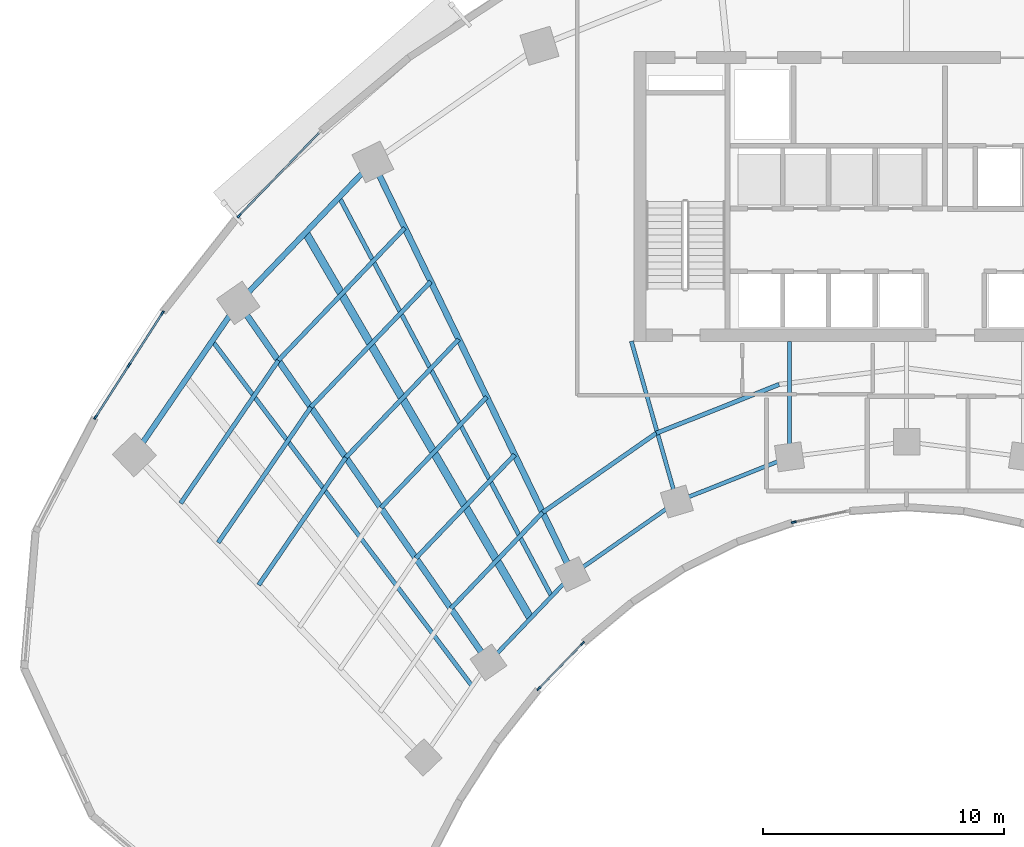
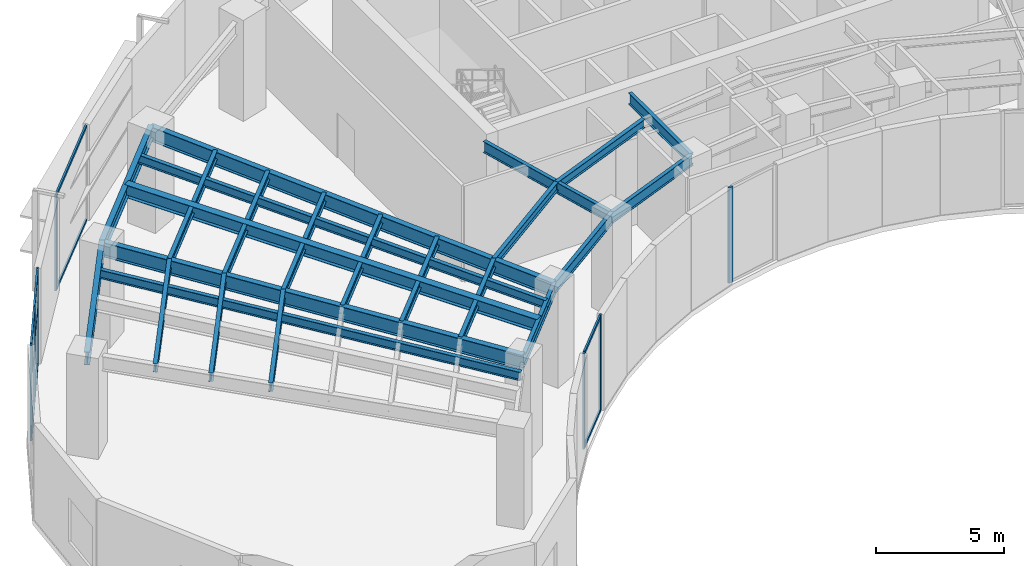
# One storey, part 2 of 15: 23 beams, 17 members, 4 elements without a shape of their own.
"""IFC4 building model written with IfcOpenShell, lengths in metres."""

import ifcopenshell
import ifcopenshell.guid

model = None  # the IFC model being written
_history = None  # IfcOwnerHistory: only IFC2X3 demands one
_inside = {}  # id of a spatial element -> (the spatial element, [elements in it])
_under = {}  # id of a project, library or spatial element -> (it, [spatial elements below it])
_declared = {}  # id of a project -> (the project, [libraries it declares])
_typed = {}  # id of a type object -> (the type object, [elements of that type])
_made_of = {}  # id of a material, layer set ... -> (it, [elements and type objects made of it])


def new_model(schema):
    """Start an empty IFC model of exactly this schema.

    Asked for "IFC4X3", IfcOpenShell would pick the latest addendum, in which some entities
    have other attributes; the version numbers below select the first issue.
    IFC2X3 requires an IfcOwnerHistory on every rooted entity: one is made here for all.
    """
    global model, _history
    if schema == "IFC4X3":
        model = ifcopenshell.file(schema_version=(4, 3, 0, 0))
    else:
        model = ifcopenshell.file(schema=schema)
    _inside.clear()
    _under.clear()
    _declared.clear()
    _typed.clear()
    _made_of.clear()
    _history = None
    if model.schema == "IFC2X3":
        org = make("IfcOrganization", Name="unknown")
        user = make(
            "IfcPersonAndOrganization",
            ThePerson=make("IfcPerson", FamilyName="unknown"),
            TheOrganization=org,
        )
        app = make(
            "IfcApplication",
            ApplicationDeveloper=org,
            Version="unknown",
            ApplicationFullName="unknown",
            ApplicationIdentifier="unknown",
        )
        _history = make(
            "IfcOwnerHistory",
            OwningUser=user,
            OwningApplication=app,
            ChangeAction="ADDED",
            CreationDate=0,
        )
    return model


def make(cls, **values):
    """One entity of the class cls with the attributes given. An attribute that is None is left unset."""
    return model.create_entity(
        cls, **{name: value for name, value in values.items() if value is not None}
    )


def rooted(cls, **values):
    """An entity with a GlobalId (a new one), such as an element, a storey or a relation."""
    return make(cls, GlobalId=ifcopenshell.guid.new(), OwnerHistory=_history, **values)


def si_unit(unit_type, name, prefix=None):
    """IfcSIUnit, for example si_unit("LENGTHUNIT", "METRE", prefix="MILLI")."""
    return make("IfcSIUnit", UnitType=unit_type, Prefix=prefix, Name=name)


def assignment(units):
    """IfcUnitAssignment: the units of a project."""
    return None if units is None else make("IfcUnitAssignment", Units=units)


def point(xyz):
    """IfcCartesianPoint."""
    return None if xyz is None else make("IfcCartesianPoint", Coordinates=xyz)


def direction(xyz):
    """IfcDirection."""
    return None if xyz is None else make("IfcDirection", DirectionRatios=xyz)


def frame(location, z_axis=None, x_axis=None):
    """IfcAxis2Placement3D, a coordinate frame: its origin and axes. An axis left out is left unset."""
    return make(
        "IfcAxis2Placement3D",
        Location=point(location),
        Axis=direction(z_axis),
        RefDirection=direction(x_axis),
    )


def frame_2d(location, x_axis=None):
    """IfcAxis2Placement2D, a coordinate frame in the plane: its origin and x axis."""
    return make(
        "IfcAxis2Placement2D", Location=point(location), RefDirection=direction(x_axis)
    )


def origin():
    """The frame at (0, 0, 0) with its axes left unset."""
    return frame((0.0, 0.0, 0.0))


def origin_2d():
    """The frame at (0, 0) in the plane with its x axis left unset."""
    return frame_2d((0.0, 0.0))


def place(relative_to, where):
    """IfcLocalPlacement: puts the frame where relative to a parent placement (None: the world)."""
    return make(
        "IfcLocalPlacement", PlacementRelTo=relative_to, RelativePlacement=where
    )


def context(
    kind, dimensions, precision=None, world=None, true_north=None, identifier=None
):
    """IfcGeometricRepresentationContext, for example the 3D "Model" context."""
    return make(
        "IfcGeometricRepresentationContext",
        ContextIdentifier=identifier,
        ContextType=kind,
        CoordinateSpaceDimension=dimensions,
        Precision=precision,
        WorldCoordinateSystem=world,
        TrueNorth=true_north,
    )


def subcontext(parent, identifier, kind, view, scale=None):
    """IfcGeometricRepresentationSubContext, for example "Body" below "Model"."""
    return make(
        "IfcGeometricRepresentationSubContext",
        ContextIdentifier=identifier,
        ContextType=kind,
        ParentContext=parent,
        TargetScale=scale,
        TargetView=view,
    )


def project(units=None, contexts=None):
    """IfcProject with its units and contexts."""
    return rooted(
        "IfcProject",
        Name="project",
        RepresentationContexts=contexts,
        UnitsInContext=assignment(units),
    )


def spatial(cls, under=None, at=None, **own):
    """A site, building, storey or space (cls), placed at a placement, below another one or the project."""
    s = rooted(cls, ObjectPlacement=at, **own)
    if under is not None:
        _under.setdefault(under.id(), (under, []))[1].append(s)
    return s


def profile(cls, at=None, kind="AREA", **sizes):
    """A parametric profile (cls). Its sizes go by their IFC names, for example OverallWidth=200.0."""
    return make(cls, ProfileType=kind, Position=at, **sizes)


def rectangle(**sizes):
    """IfcRectangleProfileDef."""
    return profile("IfcRectangleProfileDef", **sizes)


def i_section(**sizes):
    """IfcIShapeProfileDef."""
    return profile("IfcIShapeProfileDef", **sizes)


def extrude(swept, where, along, depth):
    """IfcExtrudedAreaSolid: the profile swept, set in the frame where, extruded along a direction by depth."""
    return make(
        "IfcExtrudedAreaSolid",
        SweptArea=swept,
        Position=where,
        ExtrudedDirection=direction(along),
        Depth=depth,
    )


def shape(context_of_items, identifier, shape_type, items):
    """IfcShapeRepresentation: the items that make up one representation, for example the "Body"."""
    return make(
        "IfcShapeRepresentation",
        ContextOfItems=context_of_items,
        RepresentationIdentifier=identifier,
        RepresentationType=shape_type,
        Items=items,
    )


def source(mapping_origin, context_of_items, identifier, shape_type, items):
    """IfcRepresentationMap: a shape defined once, which mapped items show again and again."""
    return make(
        "IfcRepresentationMap",
        MappingOrigin=mapping_origin,
        MappedRepresentation=shape(context_of_items, identifier, shape_type, items),
    )


def transform(
    local_origin,
    x_axis=None,
    y_axis=None,
    z_axis=None,
    scale=None,
    scale2=None,
    scale3=None,
    uniform=True,
):
    """IfcCartesianTransformationOperator3D, or its non-uniform kind. x_axis, y_axis, z_axis: its Axis1, 2, 3."""
    if uniform:
        return make(
            "IfcCartesianTransformationOperator3D",
            Axis1=direction(x_axis),
            Axis2=direction(y_axis),
            LocalOrigin=point(local_origin),
            Scale=scale,
            Axis3=direction(z_axis),
        )
    return make(
        "IfcCartesianTransformationOperator3DnonUniform",
        Axis1=direction(x_axis),
        Axis2=direction(y_axis),
        LocalOrigin=point(local_origin),
        Scale=scale,
        Axis3=direction(z_axis),
        Scale2=scale2,
        Scale3=scale3,
    )


def mapped(mapping_source, mapping_target):
    """IfcMappedItem: shows the shape of a source again, moved by a transform."""
    return make(
        "IfcMappedItem", MappingSource=mapping_source, MappingTarget=mapping_target
    )


def material(Name=None, Category=None):
    """IfcMaterial."""
    return make("IfcMaterial", Name=Name, Category=Category)


def layer(
    of_material, thickness, ventilated=None, Name=None, Category=None, Priority=None
):
    """IfcMaterialLayer: one layer of a wall or slab, of a material (None: an air gap)."""
    return make(
        "IfcMaterialLayer",
        Material=of_material,
        LayerThickness=thickness,
        IsVentilated=ventilated,
        Name=Name,
        Category=Category,
        Priority=Priority,
    )


def layer_set(layers, Name=None):
    """IfcMaterialLayerSet."""
    return make("IfcMaterialLayerSet", MaterialLayers=layers, LayerSetName=Name)


def material_profile(
    of_material, cross_section, Name=None, Category=None, Priority=None
):
    """IfcMaterialProfile: a cross section and its material."""
    return make(
        "IfcMaterialProfile",
        Name=Name,
        Material=of_material,
        Profile=cross_section,
        Priority=Priority,
        Category=Category,
    )


def profile_set(profiles, Name=None, composite=None):
    """IfcMaterialProfileSet."""
    return make(
        "IfcMaterialProfileSet",
        Name=Name,
        MaterialProfiles=profiles,
        CompositeProfile=composite,
    )


def made_of(thing, what):
    """Note that an element or type object is made of a material, layer set ...; save() writes the relation."""
    if what is not None:
        _made_of.setdefault(what.id(), (what, []))[1].append(thing)
    return thing


def type_object(cls, material=None, **own):
    """A type object (cls), such as IfcWallType, which elements share."""
    return made_of(rooted(cls, **own), material)


def type_shapes(of_type, sources):
    """Give a type object the sources (RepresentationMaps) that its elements show as mapped items."""
    of_type.RepresentationMaps = sources


def element(
    cls,
    number,
    at=None,
    inside=None,
    cuts=None,
    type_object=None,
    material=None,
    context=None,
    identifier="Body",
    shape_type=None,
    held_by="IfcProductDefinitionShape",
    body=None,
    shapes=None,
    **own,
):
    """One element of the class cls, such as IfcWall. Its Tag is "e" and its number.

    at: its placement. inside: the storey or other place that contains it. cuts: it is an
    opening in that element (IfcRelVoidsElement). A single representation is given by context,
    identifier, shape_type and body (its items); several are given by shapes. held_by: the class
    of the entity that holds the representations. save() writes the other relations.
    """
    e = rooted(cls, Tag="e%d" % number, ObjectPlacement=at, **own)
    if body is not None:
        shapes = [shape(context, identifier, shape_type, body)]
    if shapes is not None:
        e.Representation = make(held_by, Representations=shapes)
    if inside is not None:
        _inside.setdefault(inside.id(), (inside, []))[1].append(e)
    if cuts is not None:
        rooted(
            "IfcRelVoidsElement", RelatingBuildingElement=cuts, RelatedOpeningElement=e
        )
    if type_object is not None:
        _typed.setdefault(type_object.id(), (type_object, []))[1].append(e)
    return made_of(e, material)


def aggregate(whole, parts):
    """IfcRelAggregates: a whole, such as a stair, and the parts it consists of."""
    return rooted("IfcRelAggregates", RelatingObject=whole, RelatedObjects=parts)


def save(model, path):
    """Write the relations noted so far, then the file.

    IfcRelAggregates (storeys below a building ...), IfcRelContainedInSpatialStructure (elements
    in a storey), IfcRelDefinesByType, IfcRelAssociatesMaterial and IfcRelDeclares: one each for
    every whole, place, type object, material and project.
    """
    for whole, parts in _under.values():
        aggregate(whole, parts)
    for where, things in _inside.values():
        rooted(
            "IfcRelContainedInSpatialStructure",
            RelatedElements=things,
            RelatingStructure=where,
        )
    for kind, things in _typed.values():
        rooted("IfcRelDefinesByType", RelatedObjects=things, RelatingType=kind)
    for what, things in _made_of.values():
        rooted("IfcRelAssociatesMaterial", RelatedObjects=things, RelatingMaterial=what)
    for by, libraries in _declared.values():
        rooted("IfcRelDeclares", RelatingContext=by, RelatedDefinitions=libraries)
    model.write(path)


model = new_model("IFC4")

# Units and contexts
model_context = context("Model", 3, precision=1e-05, world=origin(), true_north=direction((0.0, 1.0)))
body_context = subcontext(model_context, "Body", "Model", "MODEL_VIEW")
ifc_project = project(units=[si_unit("LENGTHUNIT", "METRE"), si_unit("AREAUNIT", "SQUARE_METRE"), si_unit("VOLUMEUNIT", "CUBIC_METRE"), si_unit("PLANEANGLEUNIT", "RADIAN"), si_unit("MASSUNIT", "GRAM", prefix="KILO")], contexts=[model_context])

# Site, building, storey
site_placement = place(None, origin())
site = spatial("IfcSite", under=ifc_project, at=site_placement, CompositionType="ELEMENT")
building_placement = place(site_placement, origin())
building = spatial("IfcBuilding", under=site, at=building_placement, Name="Breltana Convention Tower", CompositionType="ELEMENT")
storey_placement = place(building_placement, frame((0.0, 0.0, 91.199951171875)))
storey = spatial("IfcBuildingStorey", under=building, at=storey_placement, Name="L21", CompositionType="ELEMENT", Elevation=91.199951171875)

# Beams
ifc_material_1 = material(Name="Steel ASTM A992 Grade 50", Category="steel")
ifc_material_profile_1 = material_profile(ifc_material_1, i_section(OverallWidth=0.179931640625, OverallDepth=0.4130859375, WebThickness=0.009765625, FlangeThickness=0.01611328125, at=origin_2d()), Name="W16X50")
ifc_profile_set_1 = profile_set([ifc_material_profile_1], Name="Steel ASTM A992 Grade 50")
beam_type_1 = type_object("IfcBeamType", Name="BM-JSG-08", PredefinedType="JOIST", material=ifc_profile_set_1)
shared_shape_1 = source(origin(), body_context, "Body", "SweptSolid", [
    extrude(i_section(OverallWidth=0.179931640625, OverallDepth=0.4130859375, WebThickness=0.009765625, FlangeThickness=0.01611328125, at=origin_2d()), origin(), (0.0, 0.0, 1.0), 17.9072265625),
])
beam_1_placement = place(storey_placement, frame((30.00390625, 45.907958984375, 4.343505859375), z_axis=(-0.601382105028, 0.798961553363, 0.0), x_axis=(-0.798961553363, -0.601382105028, 0.0)))
element("IfcBeam", 1, at=beam_1_placement, inside=storey, type_object=beam_type_1, Name="L21 Quarter-Bay Radial Trimmer 01", PredefinedType="JOIST", context=body_context, shape_type="MappedRepresentation", body=[
    mapped(shared_shape_1, transform((0.0, 0.0, 0.0), scale=1.0)),
])
ifc_material_profile_2 = material_profile(ifc_material_1, i_section(OverallWidth=0.323974609375, OverallDepth=0.611083984375, WebThickness=0.0126953125, FlangeThickness=0.01904296875, at=origin_2d()), Name="W24X104")
ifc_profile_set_2 = profile_set([ifc_material_profile_2], Name="Steel ASTM A992 Grade 50")
beam_type_2 = type_object("IfcBeamType", Name="BM-JSG-01", PredefinedType="JOIST", material=ifc_profile_set_2)
shared_shape_2 = source(origin(), body_context, "Body", "SweptSolid", [
    extrude(i_section(OverallWidth=0.323974609375, OverallDepth=0.611083984375, WebThickness=0.0126953125, FlangeThickness=0.01904296875, at=origin_2d()), origin(), (0.0, 0.0, 1.0), 18.50830078125),
])
beam_2_placement = place(storey_placement, frame((32.421630859375, 48.71875, 4.24462890625), z_axis=(-0.50368319637, 0.863888440537, 0.0), x_axis=(-0.863888440537, -0.50368319637, 0.0)))
element("IfcBeam", 2, at=beam_2_placement, inside=storey, type_object=beam_type_2, Name="L21 Mid-Bay Radial Trimmer 02", PredefinedType="JOIST", context=body_context, shape_type="MappedRepresentation", body=[
    mapped(shared_shape_2, transform((0.0, 0.0, 0.0), scale=1.0)),
])
shared_shape_3 = source(origin(), body_context, "Body", "SweptSolid", [
    extrude(i_section(OverallWidth=0.179931640625, OverallDepth=0.4130859375, WebThickness=0.009765625, FlangeThickness=0.01611328125, at=origin_2d()), origin(), (0.0, 0.0, 1.0), 18.731689453125),
])
beam_3_placement = place(storey_placement, frame((33.2939453125, 49.6318359375, 4.343505859375), z_axis=(-0.469820250451, 0.882762104004, 0.0), x_axis=(-0.882762104004, -0.469820250451, 0.0)))
element("IfcBeam", 3, at=beam_3_placement, inside=storey, type_object=beam_type_1, Name="L21 Quarter-Bay Radial Trimmer 02", PredefinedType="JOIST", context=body_context, shape_type="MappedRepresentation", body=[
    mapped(shared_shape_3, transform((0.0, 0.0, 0.0), scale=1.0)),
])
shared_shape_4 = source(origin(), body_context, "Body", "SweptSolid", [
    extrude(i_section(OverallWidth=0.179931640625, OverallDepth=0.4130859375, WebThickness=0.009765625, FlangeThickness=0.01611328125, at=origin_2d()), origin(), (0.0, 0.0, 1.0), 6.3974609375),
])
beam_4_placement = place(storey_placement, frame((21.1572265625, 50.102294921875, 4.343505859375), z_axis=(0.564445851125, 0.825470097065, 0.0), x_axis=(-0.825470097065, 0.564445851125, 0.0)))
element("IfcBeam", 4, at=beam_4_placement, inside=storey, type_object=beam_type_1, Name="L21 Composite Floor Joist 01.4", PredefinedType="JOIST", context=body_context, shape_type="MappedRepresentation", body=[
    mapped(shared_shape_4, transform((0.0, 0.0, 0.0), scale=1.0)),
])
shared_shape_5 = source(origin(), body_context, "Body", "SweptSolid", [
    extrude(i_section(OverallWidth=0.179931640625, OverallDepth=0.4130859375, WebThickness=0.009765625, FlangeThickness=0.01611328125, at=origin_2d()), origin(), (0.0, 0.0, 1.0), 6.79736328125),
])
beam_5_placement = place(storey_placement, frame((19.480224609375, 51.85791015625, 4.343505859375), z_axis=(0.564475306504, 0.825449955083, 0.0), x_axis=(-0.825449955083, 0.564475306504, 0.0)))
element("IfcBeam", 5, at=beam_5_placement, inside=storey, type_object=beam_type_1, Name="L21 Composite Floor Joist 01.5", PredefinedType="JOIST", context=body_context, shape_type="MappedRepresentation", body=[
    mapped(shared_shape_5, transform((0.0, 0.0, 0.0), scale=1.0)),
])
shared_shape_6 = source(origin(), body_context, "Body", "SweptSolid", [
    extrude(i_section(OverallWidth=0.179931640625, OverallDepth=0.4130859375, WebThickness=0.009765625, FlangeThickness=0.01611328125, at=origin_2d()), origin(), (0.0, 0.0, 1.0), 7.16845703125),
])
beam_6_placement = place(storey_placement, frame((17.923095703125, 53.488037109375, 4.343505859375), z_axis=(0.564470233585, 0.825453424123, 0.0), x_axis=(-0.825453424123, 0.564470233585, 0.0)))
element("IfcBeam", 6, at=beam_6_placement, inside=storey, type_object=beam_type_1, Name="L21 Composite Floor Joist 01.6", PredefinedType="JOIST", context=body_context, shape_type="MappedRepresentation", body=[
    mapped(shared_shape_6, transform((0.0, 0.0, 0.0), scale=1.0)),
])
shared_shape_7 = source(origin(), body_context, "Body", "SweptSolid", [
    extrude(i_section(OverallWidth=0.179931640625, OverallDepth=0.4130859375, WebThickness=0.009765625, FlangeThickness=0.01611328125, at=origin_2d()), origin(), (0.0, 0.0, 1.0), 5.504638671875),
])
beam_7_placement = place(storey_placement, frame((29.122314453125, 49.126708984375, 4.343505859375), z_axis=(0.690687741728, 0.72315312585, 0.0), x_axis=(-0.72315312585, 0.690687741728, 0.0)))
element("IfcBeam", 7, at=beam_7_placement, inside=storey, type_object=beam_type_1, Name="L21 Composite Floor Joist 02.1", PredefinedType="JOIST", context=body_context, shape_type="MappedRepresentation", body=[
    mapped(shared_shape_7, transform((0.0, 0.0, 0.0), scale=1.0)),
])
shared_shape_8 = source(origin(), body_context, "Body", "SweptSolid", [
    extrude(i_section(OverallWidth=0.179931640625, OverallDepth=0.4130859375, WebThickness=0.009765625, FlangeThickness=0.01611328125, at=origin_2d()), origin(), (0.0, 0.0, 1.0), 5.927734375),
])
beam_8_placement = place(storey_placement, frame((27.6708984375, 51.21240234375, 4.343505859375), z_axis=(0.69073528717, 0.723107711934, 0.0), x_axis=(-0.723107711934, 0.69073528717, 0.0)))
element("IfcBeam", 8, at=beam_8_placement, inside=storey, type_object=beam_type_1, Name="L21 Composite Floor Joist 02.2", PredefinedType="JOIST", context=body_context, shape_type="MappedRepresentation", body=[
    mapped(shared_shape_8, transform((0.0, 0.0, 0.0), scale=1.0)),
])
shared_shape_9 = source(origin(), body_context, "Body", "SweptSolid", [
    extrude(i_section(OverallWidth=0.179931640625, OverallDepth=0.4130859375, WebThickness=0.009765625, FlangeThickness=0.01611328125, at=origin_2d()), origin(), (0.0, 0.0, 1.0), 6.35107421875),
])
beam_9_placement = place(storey_placement, frame((26.2197265625, 53.2978515625, 4.343505859375), z_axis=(0.69071799369, 0.723124230816, 0.0), x_axis=(-0.723124230816, 0.69071799369, 0.0)))
element("IfcBeam", 9, at=beam_9_placement, inside=storey, type_object=beam_type_1, Name="L21 Composite Floor Joist 02.3", PredefinedType="JOIST", context=body_context, shape_type="MappedRepresentation", body=[
    mapped(shared_shape_9, transform((0.0, 0.0, 0.0), scale=1.0)),
])
shared_shape_10 = source(origin(), body_context, "Body", "SweptSolid", [
    extrude(i_section(OverallWidth=0.179931640625, OverallDepth=0.4130859375, WebThickness=0.009765625, FlangeThickness=0.01611328125, at=origin_2d()), origin(), (0.0, 0.0, 1.0), 6.774169921875),
])
beam_10_placement = place(storey_placement, frame((24.768310546875, 55.38330078125, 4.343505859375), z_axis=(0.690739707184, 0.723103489771, 0.0), x_axis=(-0.723103489771, 0.690739707184, 0.0)))
element("IfcBeam", 10, at=beam_10_placement, inside=storey, type_object=beam_type_1, Name="L21 Composite Floor Joist 02.4", PredefinedType="JOIST", context=body_context, shape_type="MappedRepresentation", body=[
    mapped(shared_shape_10, transform((0.0, 0.0, 0.0), scale=1.0)),
])
shared_shape_11 = source(origin(), body_context, "Body", "SweptSolid", [
    extrude(i_section(OverallWidth=0.179931640625, OverallDepth=0.4130859375, WebThickness=0.009765625, FlangeThickness=0.01611328125, at=origin_2d()), origin(), (0.0, 0.0, 1.0), 7.197265625),
])
beam_11_placement = place(storey_placement, frame((23.317138671875, 57.46875, 4.343505859375), z_axis=(0.690741130438, 0.723102130214, 0.0), x_axis=(-0.723102130214, 0.690741130438, 0.0)))
element("IfcBeam", 11, at=beam_11_placement, inside=storey, type_object=beam_type_1, Name="L21 Composite Floor Joist 02.5", PredefinedType="JOIST", context=body_context, shape_type="MappedRepresentation", body=[
    mapped(shared_shape_11, transform((0.0, 0.0, 0.0), scale=1.0)),
])
shared_shape_12 = source(origin(), body_context, "Body", "SweptSolid", [
    extrude(i_section(OverallWidth=0.179931640625, OverallDepth=0.4130859375, WebThickness=0.009765625, FlangeThickness=0.01611328125, at=origin_2d()), origin(), (0.0, 0.0, 1.0), 7.59033203125),
])
beam_12_placement = place(storey_placement, frame((21.969482421875, 59.4052734375, 4.343505859375), z_axis=(0.690742686271, 0.723100644007, 0.0), x_axis=(-0.723100644007, 0.690742686271, 0.0)))
element("IfcBeam", 12, at=beam_12_placement, inside=storey, type_object=beam_type_1, Name="L21 Composite Floor Joist 02.6", PredefinedType="JOIST", context=body_context, shape_type="MappedRepresentation", body=[
    mapped(shared_shape_12, transform((0.0, 0.0, 0.0), scale=1.0)),
])
shared_shape_13 = source(origin(), body_context, "Body", "SweptSolid", [
    extrude(i_section(OverallWidth=0.179931640625, OverallDepth=0.4130859375, WebThickness=0.009765625, FlangeThickness=0.01611328125, at=origin_2d()), origin(), (0.0, 0.0, 1.0), 5.738525390625),
])
beam_13_placement = place(storey_placement, frame((32.92431640625, 53.107421875, 4.343505859375), z_axis=(0.820182201694, 0.572102399947, 0.0), x_axis=(-0.572102399947, 0.820182201694, 0.0)))
element("IfcBeam", 13, at=beam_13_placement, inside=storey, type_object=beam_type_1, Name="L21 Composite Floor Joist 03.1", PredefinedType="JOIST", context=body_context, shape_type="MappedRepresentation", body=[
    mapped(shared_shape_13, transform((0.0, 0.0, 0.0), scale=1.0)),
])
shared_shape_14 = source(origin(), body_context, "Body", "SweptSolid", [
    extrude(i_section(OverallWidth=0.179931640625, OverallDepth=0.4130859375, WebThickness=0.009765625, FlangeThickness=0.01611328125, at=origin_2d()), origin(), (0.0, 0.0, 1.0), 5.473876953125),
])
beam_14_placement = place(storey_placement, frame((37.630859375, 56.390380859375, 4.343505859375), z_axis=(0.92945162863, 0.368943993091, 0.0), x_axis=(-0.368943993091, 0.92945162863, 0.0)))
element("IfcBeam", 14, at=beam_14_placement, inside=storey, type_object=beam_type_1, Name="L21 Composite Floor Joist 04.1", PredefinedType="JOIST", context=body_context, shape_type="MappedRepresentation", body=[
    mapped(shared_shape_14, transform((0.0, 0.0, 0.0), scale=1.0)),
])
ifc_material_profile_3 = material_profile(ifc_material_1, i_section(OverallWidth=0.25390625, OverallDepth=0.68798828125, WebThickness=0.01318359375, FlangeThickness=0.02099609375, at=origin_2d()), Name="W27X102")
ifc_profile_set_3 = profile_set([ifc_material_profile_3], Name="Steel ASTM A992 Grade 50")
beam_type_3 = type_object("IfcBeamType", Name="BM-RG-W27X102", PredefinedType="USERDEFINED", material=ifc_profile_set_3)
shared_shape_15 = source(origin(), body_context, "Body", "SweptSolid", [
    extrude(i_section(OverallWidth=0.25390625, OverallDepth=0.68798828125, WebThickness=0.01318359375, FlangeThickness=0.02099609375, at=origin_2d()), origin(), (0.0, 0.0, 1.0), 18.1484375),
])
beam_15_placement = place(storey_placement, frame((30.67724609375, 46.892333984375, 4.2060546875), z_axis=(-0.571207556098, 0.820805657788, 0.0), x_axis=(-0.820805657788, -0.571207556098, 0.0)))
element("IfcBeam", 15, at=beam_15_placement, inside=storey, type_object=beam_type_3, Name="L21 Radial Floor Girder R02", ObjectType="GIRDER", PredefinedType="USERDEFINED", context=body_context, shape_type="MappedRepresentation", body=[
    mapped(shared_shape_15, transform((0.0, 0.0, 0.0), scale=1.0)),
])
shared_shape_16 = source(origin(), body_context, "Body", "SweptSolid", [
    extrude(i_section(OverallWidth=0.25390625, OverallDepth=0.68798828125, WebThickness=0.01318359375, FlangeThickness=0.02099609375, at=origin_2d()), origin(), (0.0, 0.0, 1.0), 18.982421875),
])
beam_16_placement = place(storey_placement, frame((34.166259765625, 50.544921875, 4.2060546875), z_axis=(-0.436118560343, 0.89988921614, 0.0), x_axis=(-0.89988921614, -0.436118560343, 0.0)))
element("IfcBeam", 16, at=beam_16_placement, inside=storey, type_object=beam_type_3, Name="L21 Radial Floor Girder R03", ObjectType="GIRDER", PredefinedType="USERDEFINED", context=body_context, shape_type="MappedRepresentation", body=[
    mapped(shared_shape_16, transform((0.0, 0.0, 0.0), scale=1.0)),
])
ifc_material_profile_4 = material_profile(ifc_material_1, i_section(OverallWidth=0.166015625, OverallDepth=0.534912109375, WebThickness=0.01025390625, FlangeThickness=0.0166015625, at=origin_2d()), Name="W21X57")
ifc_profile_set_4 = profile_set([ifc_material_profile_4], Name="Steel ASTM A992 Grade 50")
beam_type_4 = type_object("IfcBeamType", Name="BM-BM-W21X57", PredefinedType="BEAM", material=ifc_profile_set_4)
shared_shape_17 = source(origin(), body_context, "Body", "SweptSolid", [
    extrude(i_section(OverallWidth=0.166015625, OverallDepth=0.534912109375, WebThickness=0.01025390625, FlangeThickness=0.0166015625, at=origin_2d()), origin(), (0.0, 0.0, 1.0), 6.904541015625),
])
type_shapes(beam_type_4, [shared_shape_17])
beam_17_placement = place(storey_placement, frame((36.60009765625, 60.199951171875, 4.282470703125), z_axis=(0.273006781054, -0.962012108811, 0.0), x_axis=(0.962012108811, 0.273006781054, 0.0)))
element("IfcBeam", 17, at=beam_17_placement, inside=storey, type_object=beam_type_4, Name="L21 South Core Tie Girder R04", PredefinedType="BEAM", context=body_context, shape_type="MappedRepresentation", body=[
    mapped(shared_shape_17, transform((0.0, 0.0, 0.0), scale=1.0)),
])
shared_shape_18 = source(origin(), body_context, "Body", "SweptSolid", [
    extrude(i_section(OverallWidth=0.166015625, OverallDepth=0.534912109375, WebThickness=0.01025390625, FlangeThickness=0.0166015625, at=origin_2d()), origin(), (0.0, 0.0, 1.0), 4.789306640625),
])
beam_18_placement = place(storey_placement, frame((43.153564453125, 60.199951171875, 4.282470703125), z_axis=(0.0, -1.0, 0.0), x_axis=(1.0, 0.0, 0.0)))
element("IfcBeam", 18, at=beam_18_placement, inside=storey, type_object=beam_type_4, Name="L21 South Core Tie Girder R05", PredefinedType="BEAM", context=body_context, shape_type="MappedRepresentation", body=[
    mapped(shared_shape_18, transform((0.0, 0.0, 0.0), scale=1.0)),
])
ifc_material_profile_5 = material_profile(ifc_material_1, i_section(OverallWidth=0.22802734375, OverallDepth=0.60791015625, WebThickness=0.01123046875, FlangeThickness=0.017333984375, at=origin_2d()), Name="W24X76")
ifc_profile_set_5 = profile_set([ifc_material_profile_5], Name="Steel ASTM A992 Grade 50")
beam_type_5 = type_object("IfcBeamType", Name="BM-SP-W24X76", PredefinedType="SPANDREL", material=ifc_profile_set_5)
shared_shape_19 = source(origin(), body_context, "Body", "SweptSolid", [
    extrude(i_section(OverallWidth=0.22802734375, OverallDepth=0.60791015625, WebThickness=0.01123046875, FlangeThickness=0.017333984375, at=origin_2d()), origin(), (0.0, 0.0, 1.0), 7.625),
])
type_shapes(beam_type_5, [shared_shape_19])
beam_19_placement = place(storey_placement, frame((16.0068359375, 55.494384765625, 4.24609375), z_axis=(0.564452031902, 0.825465870694, 0.0), x_axis=(-0.825465870694, 0.564452031902, 0.0)))
element("IfcBeam", 19, at=beam_19_placement, inside=storey, type_object=beam_type_5, Name="L21 Outer Spandrel Beam 01", PredefinedType="SPANDREL", context=body_context, shape_type="MappedRepresentation", body=[
    mapped(shared_shape_19, transform((0.0, 0.0, 0.0), scale=1.0)),
])
shared_shape_20 = source(origin(), body_context, "Body", "SweptSolid", [
    extrude(i_section(OverallWidth=0.166015625, OverallDepth=0.534912109375, WebThickness=0.01025390625, FlangeThickness=0.0166015625, at=origin_2d()), origin(), (0.0, 0.0, 1.0), 5.05126953125),
])
beam_20_placement = place(storey_placement, frame((30.67724609375, 46.892333984375, 4.282470703125), z_axis=(0.690729753845, 0.7231129975, 0.0), x_axis=(-0.7231129975, 0.690729753845, 0.0)))
element("IfcBeam", 20, at=beam_20_placement, inside=storey, type_object=beam_type_4, Name="L21 Inner Ring Beam 02", PredefinedType="BEAM", context=body_context, shape_type="MappedRepresentation", body=[
    mapped(shared_shape_20, transform((0.0, 0.0, 0.0), scale=1.0)),
])
shared_shape_21 = source(origin(), body_context, "Body", "SweptSolid", [
    extrude(i_section(OverallWidth=0.22802734375, OverallDepth=0.60791015625, WebThickness=0.01123046875, FlangeThickness=0.017333984375, at=origin_2d()), origin(), (0.0, 0.0, 1.0), 8.073974609375),
])
beam_21_placement = place(storey_placement, frame((20.310791015625, 61.78857421875, 4.24609375), z_axis=(0.69072885448, 0.723113856588, 0.0), x_axis=(-0.723113856588, 0.69072885448, 0.0)))
element("IfcBeam", 21, at=beam_21_placement, inside=storey, type_object=beam_type_5, Name="L21 Outer Spandrel Beam 02", PredefinedType="SPANDREL", context=body_context, shape_type="MappedRepresentation", body=[
    mapped(shared_shape_21, transform((0.0, 0.0, 0.0), scale=1.0)),
])
shared_shape_22 = source(origin(), body_context, "Body", "SweptSolid", [
    extrude(i_section(OverallWidth=0.166015625, OverallDepth=0.534912109375, WebThickness=0.01025390625, FlangeThickness=0.0166015625, at=origin_2d()), origin(), (0.0, 0.0, 1.0), 5.265869140625),
])
beam_22_placement = place(storey_placement, frame((34.166259765625, 50.544921875, 4.282470703125), z_axis=(0.820167429517, 0.572123577176, 0.0), x_axis=(-0.572123577176, 0.820167429517, 0.0)))
element("IfcBeam", 22, at=beam_22_placement, inside=storey, type_object=beam_type_4, Name="L21 Inner Ring Beam 03", PredefinedType="BEAM", context=body_context, shape_type="MappedRepresentation", body=[
    mapped(shared_shape_22, transform((0.0, 0.0, 0.0), scale=1.0)),
])
shared_shape_23 = source(origin(), body_context, "Body", "SweptSolid", [
    extrude(i_section(OverallWidth=0.166015625, OverallDepth=0.534912109375, WebThickness=0.01025390625, FlangeThickness=0.0166015625, at=origin_2d()), origin(), (0.0, 0.0, 1.0), 5.022705078125),
])
beam_23_placement = place(storey_placement, frame((38.485107421875, 53.5576171875, 4.282470703125), z_axis=(0.929458966248, 0.368925507469, 0.0), x_axis=(-0.368925507469, 0.929458966248, 0.0)))
element("IfcBeam", 23, at=beam_23_placement, inside=storey, type_object=beam_type_4, Name="L21 Inner Ring Beam 04", PredefinedType="BEAM", context=body_context, shape_type="MappedRepresentation", body=[
    mapped(shared_shape_23, transform((0.0, 0.0, 0.0), scale=1.0)),
])

# Curtain wall, member
ifc_material_2 = material(Name="Aluminium Anodised Bronze Frame", Category="aluminium")
ifc_layer_1 = layer(ifc_material_2, 0.18994140625, Name="Aluminium Anodised Bronze Frame")
ifc_layer_set_1 = layer_set([ifc_layer_1], Name="Aluminium Anodised Bronze Frame")
curtain_wall_type_1 = type_object("IfcCurtainWallType", Name="CW-SYS-1", PredefinedType="NOTDEFINED", material=ifc_layer_set_1)
curtain_wall_1_placement = place(storey_placement, origin())
curtain_wall_1 = element("IfcCurtainWall", 24, at=curtain_wall_1_placement, inside=storey, type_object=curtain_wall_type_1, Name="L21 inner south-court glazing 4", PredefinedType="NOTDEFINED")
ifc_material_3 = material(Name="Aluminium Anodised Bronze", Category="aluminium")
ifc_material_profile_6 = material_profile(ifc_material_3, rectangle(XDim=0.080078125, YDim=0.199951171875, at=origin_2d()), Name="CWM-80X200")
ifc_profile_set_6 = profile_set([ifc_material_profile_6], Name="Aluminium Anodised Bronze")
member_type_1 = type_object("IfcMemberType", Name="CWM-200", PredefinedType="MULLION", material=ifc_profile_set_6)
shared_shape_24 = source(origin(), body_context, "Body", "SweptSolid", [
    extrude(rectangle(XDim=0.080078125, YDim=0.199951171875, at=origin_2d()), origin(), (0.0, 0.0, 1.0), 4.550048828125),
])
member_1_placement = place(storey_placement, frame((43.327880859375, 52.703125, 0.0), z_axis=(0.0, 0.0, 1.0), x_axis=(0.200852929183, -0.979621406891, 0.0)))
member_1 = element("IfcMember", 25, at=member_1_placement, type_object=member_type_1, Name="CW-01 mullion 2", PredefinedType="MULLION", context=body_context, shape_type="MappedRepresentation", body=[
    mapped(shared_shape_24, transform((0.0, 0.0, 0.0), scale=1.0)),
])
aggregate(curtain_wall_1, [member_1])

# Curtain wall, members
curtain_wall_2_placement = place(storey_placement, origin())
curtain_wall_2 = element("IfcCurtainWall", 26, at=curtain_wall_2_placement, inside=storey, type_object=curtain_wall_type_1, Name="L21 inner south-court glazing 5", PredefinedType="NOTDEFINED")
member_2_placement = place(storey_placement, frame((34.57373046875, 47.67919921875, 0.0), z_axis=(0.0, 0.0, 1.0), x_axis=(0.719387314642, -0.694609164589, 0.0)))
member_2 = element("IfcMember", 27, at=member_2_placement, type_object=member_type_1, Name="CW-01 mullion 1", PredefinedType="MULLION", context=body_context, shape_type="MappedRepresentation", body=[
    mapped(shared_shape_24, transform((0.0, 0.0, 0.0), scale=1.0)),
])
member_3_placement = place(storey_placement, frame((32.767822265625, 45.808837890625, 0.0), z_axis=(0.0, 0.0, 1.0), x_axis=(0.719387314642, -0.694609164589, 0.0)))
member_3 = element("IfcMember", 28, at=member_3_placement, type_object=member_type_1, Name="CW-01 mullion 2", PredefinedType="MULLION", context=body_context, shape_type="MappedRepresentation", body=[
    mapped(shared_shape_24, transform((0.0, 0.0, 0.0), scale=1.0)),
])

ifc_layer_2 = layer(ifc_material_2, 0.239990234375, Name="Aluminium Anodised Bronze Frame")
ifc_layer_set_2 = layer_set([ifc_layer_2], Name="Aluminium Anodised Bronze Frame")
curtain_wall_type_2 = type_object("IfcCurtainWallType", Name="CW-SYS-6", PredefinedType="NOTDEFINED", material=ifc_layer_set_2)
curtain_wall_3_placement = place(storey_placement, origin())
curtain_wall_3 = element("IfcCurtainWall", 29, at=curtain_wall_3_placement, inside=storey, type_object=curtain_wall_type_2, Name="L21 outer double-skin inner glazing 1", PredefinedType="NOTDEFINED")
member_4_placement = place(storey_placement, frame((14.3984375, 57.0537109375, 0.0), z_axis=(0.0, 0.0, 1.0), x_axis=(-0.84155155167, 0.540176809834, 0.0)))
member_4 = element("IfcMember", 30, at=member_4_placement, type_object=member_type_1, Name="CW-06 mullion 1", PredefinedType="MULLION", context=body_context, shape_type="MappedRepresentation", body=[
    mapped(shared_shape_24, transform((0.0, 0.0, 0.0), scale=1.0)),
])
member_5_placement = place(storey_placement, frame((15.78271484375, 59.210205078125, 0.0), z_axis=(0.0, 0.0, 1.0), x_axis=(-0.84155155167, 0.540176809834, 0.0)))
member_5 = element("IfcMember", 31, at=member_5_placement, type_object=member_type_1, Name="CW-06 mullion 2", PredefinedType="MULLION", context=body_context, shape_type="MappedRepresentation", body=[
    mapped(shared_shape_24, transform((0.0, 0.0, 0.0), scale=1.0)),
])
member_6_placement = place(storey_placement, frame((17.1669921875, 61.36669921875, 0.0), z_axis=(0.0, 0.0, 1.0), x_axis=(-0.84155155167, 0.540176809834, 0.0)))
member_6 = element("IfcMember", 32, at=member_6_placement, type_object=member_type_1, Name="CW-06 mullion 3", PredefinedType="MULLION", context=body_context, shape_type="MappedRepresentation", body=[
    mapped(shared_shape_24, transform((0.0, 0.0, 0.0), scale=1.0)),
])

# Curtain wall, member
curtain_wall_4_placement = place(storey_placement, origin())
curtain_wall_4 = element("IfcCurtainWall", 33, at=curtain_wall_4_placement, inside=storey, type_object=curtain_wall_type_2, Name="L21 outer double-skin inner glazing 2", PredefinedType="NOTDEFINED")
member_7_placement = place(storey_placement, frame((20.343017578125, 65.4052734375, 0.0), z_axis=(0.0, 0.0, 1.0), x_axis=(-0.719384961558, 0.694611601605, 0.0)))
member_7 = element("IfcMember", 34, at=member_7_placement, type_object=member_type_1, Name="CW-06 mullion 1", PredefinedType="MULLION", context=body_context, shape_type="MappedRepresentation", body=[
    mapped(shared_shape_24, transform((0.0, 0.0, 0.0), scale=1.0)),
])

# Member
ifc_material_profile_7 = material_profile(ifc_material_3, rectangle(XDim=0.080078125, YDim=0.139892578125, at=origin_2d()), Name="CWT-80X140")
ifc_profile_set_7 = profile_set([ifc_material_profile_7], Name="Aluminium Anodised Bronze")
member_type_2 = type_object("IfcMemberType", Name="CWT-140", PredefinedType="USERDEFINED", material=ifc_profile_set_7)
shared_shape_25 = source(origin(), body_context, "Body", "SweptSolid", [
    extrude(rectangle(XDim=0.080078125, YDim=0.139892578125, at=origin_2d()), origin(), (0.0, 0.0, 1.0), 2.519775390625),
])
member_8_placement = place(storey_placement, frame((34.5458984375, 47.650390625, 0.0400390625), z_axis=(-0.694596242791, -0.719399791146, 0.0), x_axis=(0.719399791146, -0.694596242791, 0.0)))
member_8 = element("IfcMember", 35, at=member_8_placement, type_object=member_type_2, Name="CW-01 transom 1.1", ObjectType="TRANSOM", PredefinedType="USERDEFINED", context=body_context, shape_type="MappedRepresentation", body=[
    mapped(shared_shape_25, transform((0.0, 0.0, 0.0), scale=1.0)),
])

member_9_placement = place(storey_placement, frame((34.5458984375, 47.650390625, 4.510009765625), z_axis=(-0.694596242791, -0.719399791146, 0.0), x_axis=(0.719399791146, -0.694596242791, 0.0)))
member_9 = element("IfcMember", 36, at=member_9_placement, type_object=member_type_2, Name="CW-01 transom 1.2", ObjectType="TRANSOM", PredefinedType="USERDEFINED", context=body_context, shape_type="MappedRepresentation", body=[
    mapped(shared_shape_25, transform((0.0, 0.0, 0.0), scale=1.0)),
])

aggregate(curtain_wall_2, [member_2, member_3, member_8, member_9])

shared_shape_26 = source(origin(), body_context, "Body", "SweptSolid", [
    extrude(rectangle(XDim=0.080078125, YDim=0.139892578125, at=origin_2d()), origin(), (0.0, 0.0, 1.0), 2.482421875),
])
member_10_placement = place(storey_placement, frame((14.419921875, 57.08740234375, 0.0400390625), z_axis=(0.540205752301, 0.841532973318, 0.0), x_axis=(-0.841532973318, 0.540205752301, 0.0)))
member_10 = element("IfcMember", 37, at=member_10_placement, type_object=member_type_2, Name="CW-06 transom 1.1", ObjectType="TRANSOM", PredefinedType="USERDEFINED", context=body_context, shape_type="MappedRepresentation", body=[
    mapped(shared_shape_26, transform((0.0, 0.0, 0.0), scale=1.0)),
])

member_11_placement = place(storey_placement, frame((14.419921875, 57.08740234375, 2.95751953125), z_axis=(0.540205752301, 0.841532973318, 0.0), x_axis=(-0.841532973318, 0.540205752301, 0.0)))
member_11 = element("IfcMember", 38, at=member_11_placement, type_object=member_type_2, Name="CW-06 transom 1.2", ObjectType="TRANSOM", PredefinedType="USERDEFINED", context=body_context, shape_type="MappedRepresentation", body=[
    mapped(shared_shape_26, transform((0.0, 0.0, 0.0), scale=1.0)),
])

member_12_placement = place(storey_placement, frame((14.419921875, 57.08740234375, 4.510009765625), z_axis=(0.540205752301, 0.841532973318, 0.0), x_axis=(-0.841532973318, 0.540205752301, 0.0)))
member_12 = element("IfcMember", 39, at=member_12_placement, type_object=member_type_2, Name="CW-06 transom 1.3", ObjectType="TRANSOM", PredefinedType="USERDEFINED", context=body_context, shape_type="MappedRepresentation", body=[
    mapped(shared_shape_26, transform((0.0, 0.0, 0.0), scale=1.0)),
])

member_13_placement = place(storey_placement, frame((15.80419921875, 59.243896484375, 0.0400390625), z_axis=(0.540205752301, 0.841532973318, 0.0), x_axis=(-0.841532973318, 0.540205752301, 0.0)))
member_13 = element("IfcMember", 40, at=member_13_placement, type_object=member_type_2, Name="CW-06 transom 2.1", ObjectType="TRANSOM", PredefinedType="USERDEFINED", context=body_context, shape_type="MappedRepresentation", body=[
    mapped(shared_shape_26, transform((0.0, 0.0, 0.0), scale=1.0)),
])

member_14_placement = place(storey_placement, frame((15.80419921875, 59.243896484375, 2.95751953125), z_axis=(0.540205752301, 0.841532973318, 0.0), x_axis=(-0.841532973318, 0.540205752301, 0.0)))
member_14 = element("IfcMember", 41, at=member_14_placement, type_object=member_type_2, Name="CW-06 transom 2.2", ObjectType="TRANSOM", PredefinedType="USERDEFINED", context=body_context, shape_type="MappedRepresentation", body=[
    mapped(shared_shape_26, transform((0.0, 0.0, 0.0), scale=1.0)),
])

member_15_placement = place(storey_placement, frame((15.80419921875, 59.243896484375, 4.510009765625), z_axis=(0.540205752301, 0.841532973318, 0.0), x_axis=(-0.841532973318, 0.540205752301, 0.0)))
member_15 = element("IfcMember", 42, at=member_15_placement, type_object=member_type_2, Name="CW-06 transom 2.3", ObjectType="TRANSOM", PredefinedType="USERDEFINED", context=body_context, shape_type="MappedRepresentation", body=[
    mapped(shared_shape_26, transform((0.0, 0.0, 0.0), scale=1.0)),
])

aggregate(curtain_wall_3, [member_4, member_5, member_6, member_10, member_11, member_12, member_13, member_14, member_15])

shared_shape_27 = source(origin(), body_context, "Body", "SweptSolid", [
    extrude(rectangle(XDim=0.080078125, YDim=0.139892578125, at=origin_2d()), origin(), (0.0, 0.0, 1.0), 4.74853515625),
])
member_16_placement = place(storey_placement, frame((20.370849609375, 65.433837890625, 0.0400390625), z_axis=(0.694607359257, 0.719389057789, 0.0), x_axis=(-0.719389057789, 0.694607359257, 0.0)))
member_16 = element("IfcMember", 43, at=member_16_placement, type_object=member_type_2, Name="CW-06 transom 1.1", ObjectType="TRANSOM", PredefinedType="USERDEFINED", context=body_context, shape_type="MappedRepresentation", body=[
    mapped(shared_shape_27, transform((0.0, 0.0, 0.0), scale=1.0)),
])

member_17_placement = place(storey_placement, frame((20.370849609375, 65.433837890625, 4.510009765625), z_axis=(0.694607359257, 0.719389057789, 0.0), x_axis=(-0.719389057789, 0.694607359257, 0.0)))
member_17 = element("IfcMember", 44, at=member_17_placement, type_object=member_type_2, Name="CW-06 transom 1.2", ObjectType="TRANSOM", PredefinedType="USERDEFINED", context=body_context, shape_type="MappedRepresentation", body=[
    mapped(shared_shape_27, transform((0.0, 0.0, 0.0), scale=1.0)),
])

aggregate(curtain_wall_4, [member_7, member_16, member_17])

save(model, "model.ifc")
